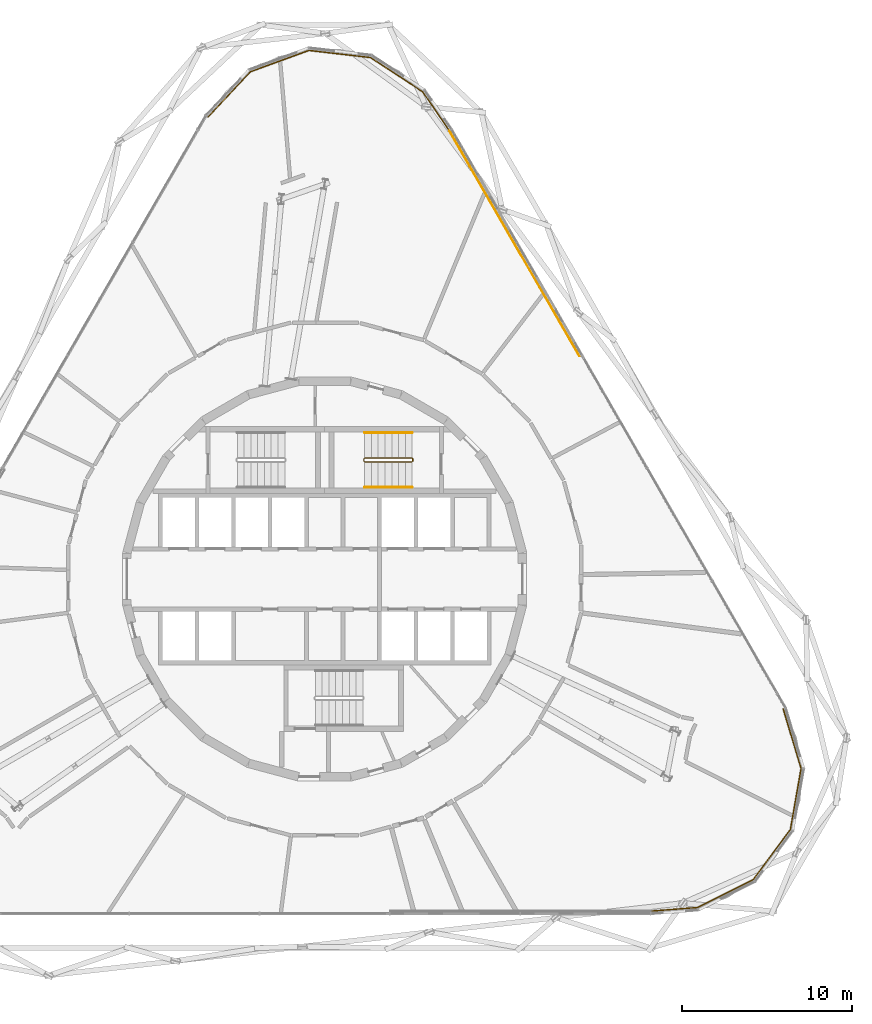
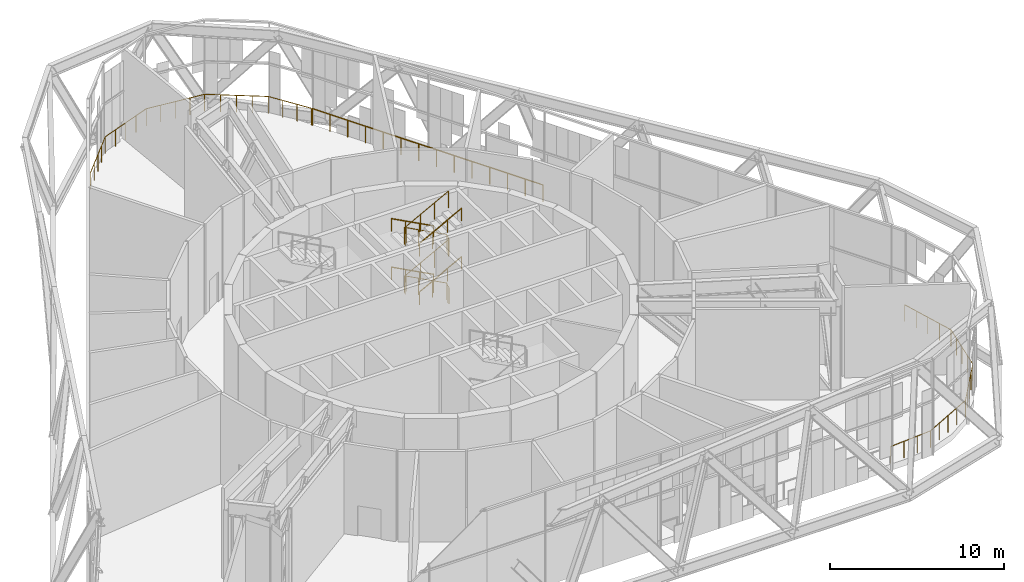
# One storey, part 29 of 29: 8 railings.
"""IFC4 building model written with IfcOpenShell, lengths in metres."""

from ifc_helpers import new_model, si_unit, direction, frame, origin, origin_2d, place, context, subcontext, project, spatial, circle, extrude, material, type_object, element, save


model = new_model("IFC4")

# Units and contexts
model_context = context("Model", 3, precision=1e-05, world=origin(), true_north=direction((0.0, 1.0)))
body_context = subcontext(model_context, "Body", "Model", "MODEL_VIEW")
ifc_project = project(units=[si_unit("LENGTHUNIT", "METRE"), si_unit("AREAUNIT", "SQUARE_METRE"), si_unit("VOLUMEUNIT", "CUBIC_METRE"), si_unit("PLANEANGLEUNIT", "RADIAN"), si_unit("MASSUNIT", "GRAM", prefix="KILO")], contexts=[model_context])

# Site, building, storey
site_placement = place(None, origin())
site = spatial("IfcSite", under=ifc_project, at=site_placement, CompositionType="ELEMENT")
building_placement = place(site_placement, origin())
building = spatial("IfcBuilding", under=site, at=building_placement, Name="Spindle Arch Residences", CompositionType="ELEMENT")
storey_placement = place(building_placement, frame((0.0, 0.0, 69.89990234375)))
storey = spatial("IfcBuildingStorey", under=building, at=storey_placement, Name="L16", CompositionType="ELEMENT", Elevation=69.89990234375)

# Railings
ifc_material_1 = material(Name="Bronze anodised aluminium guard with glass infill", Category="aluminium")
railing_type_1 = type_object("IfcRailingType", Name="Facade guard 1200", PredefinedType="GUARDRAIL", material=ifc_material_1)
railing_1_placement = place(storey_placement, frame((19.218505859375, -19.55810546875, 0.0)))
element("IfcRailing", 1, at=railing_1_placement, inside=storey, type_object=railing_type_1, Name="Facade guard L16 1", PredefinedType="GUARDRAIL", context=body_context, shape_type="SweptSolid", body=[
    extrude(circle(Radius=0.02392578125, at=origin_2d()), frame((0.0, 0.0, 1.17578125), z_axis=(0.997003710875, 0.077353736189, 0.0), x_axis=(-0.077353736189, 0.997003710875, 0.0)), (0.0, 0.0, 1.0), 2.75537109375),
    extrude(circle(Radius=0.02392578125, at=origin_2d()), frame((2.7470703125, 0.213134765625, 1.17578125), z_axis=(0.893640339838, 0.448783848878, 0.0), x_axis=(-0.448783848878, 0.893640339838, 0.0)), (0.0, 0.0, 1.0), 3.667724609375),
    extrude(circle(Radius=0.02392578125, at=origin_2d()), frame((6.024658203125, 1.859130859375, 1.17578125), z_axis=(0.59660794705, 0.802532838902, 0.0), x_axis=(-0.802532838902, 0.59660794705, 0.0)), (0.0, 0.0, 1.0), 3.65625),
    extrude(circle(Radius=0.02392578125, at=origin_2d()), frame((8.2060546875, 4.79345703125, 1.17578125), z_axis=(0.172947222457, 0.984931093145, 0.0), x_axis=(-0.984931093145, 0.172947222457, 0.0)), (0.0, 0.0, 1.0), 3.65625),
    extrude(circle(Radius=0.02392578125, at=origin_2d()), frame((8.83837890625, 8.39453125, 1.17578125), z_axis=(-0.287396893903, 0.957811581353, 0.0), x_axis=(-0.957811581353, -0.287396893903, 0.0)), (0.0, 0.0, 1.0), 3.65625),
    extrude(circle(Radius=0.02099609375, at=origin_2d()), origin(), (0.0, 0.0, 1.0), 1.15185546875),
    extrude(circle(Radius=0.02099609375, at=origin_2d()), frame((0.915771484375, 0.071044921875, 0.0)), (0.0, 0.0, 1.0), 1.15185546875),
    extrude(circle(Radius=0.02099609375, at=origin_2d()), frame((1.831298828125, 0.14208984375, 0.0)), (0.0, 0.0, 1.0), 1.15185546875),
    extrude(circle(Radius=0.02099609375, at=origin_2d()), frame((2.7470703125, 0.213134765625, 0.0)), (0.0, 0.0, 1.0), 1.15185546875),
    extrude(circle(Radius=0.02099609375, at=origin_2d()), frame((3.56640625, 0.62451171875, 0.0)), (0.0, 0.0, 1.0), 1.15185546875),
    extrude(circle(Radius=0.02099609375, at=origin_2d()), frame((4.3857421875, 1.0361328125, 0.0)), (0.0, 0.0, 1.0), 1.15185546875),
    extrude(circle(Radius=0.02099609375, at=origin_2d()), frame((5.205322265625, 1.44775390625, 0.0)), (0.0, 0.0, 1.0), 1.15185546875),
    extrude(circle(Radius=0.02099609375, at=origin_2d()), frame((6.024658203125, 1.859130859375, 0.0)), (0.0, 0.0, 1.0), 1.15185546875),
    extrude(circle(Radius=0.02099609375, at=origin_2d()), frame((6.570068359375, 2.5927734375, 0.0)), (0.0, 0.0, 1.0), 1.15185546875),
    extrude(circle(Radius=0.02099609375, at=origin_2d()), frame((7.115234375, 3.326171875, 0.0)), (0.0, 0.0, 1.0), 1.15185546875),
    extrude(circle(Radius=0.02099609375, at=origin_2d()), frame((7.66064453125, 4.059814453125, 0.0)), (0.0, 0.0, 1.0), 1.15185546875),
    extrude(circle(Radius=0.02099609375, at=origin_2d()), frame((8.2060546875, 4.79345703125, 0.0)), (0.0, 0.0, 1.0), 1.15185546875),
    extrude(circle(Radius=0.02099609375, at=origin_2d()), frame((8.3642578125, 5.69384765625, 0.0)), (0.0, 0.0, 1.0), 1.15185546875),
    extrude(circle(Radius=0.02099609375, at=origin_2d()), frame((8.522216796875, 6.593994140625, 0.0)), (0.0, 0.0, 1.0), 1.15185546875),
    extrude(circle(Radius=0.02099609375, at=origin_2d()), frame((8.68017578125, 7.494140625, 0.0)), (0.0, 0.0, 1.0), 1.15185546875),
    extrude(circle(Radius=0.02099609375, at=origin_2d()), frame((8.83837890625, 8.39453125, 0.0)), (0.0, 0.0, 1.0), 1.15185546875),
    extrude(circle(Radius=0.02099609375, at=origin_2d()), frame((8.57568359375, 9.27001953125, 0.0)), (0.0, 0.0, 1.0), 1.15185546875),
    extrude(circle(Radius=0.02099609375, at=origin_2d()), frame((8.31298828125, 10.1455078125, 0.0)), (0.0, 0.0, 1.0), 1.15185546875),
    extrude(circle(Radius=0.02099609375, at=origin_2d()), frame((8.05029296875, 11.02099609375, 0.0)), (0.0, 0.0, 1.0), 1.15185546875),
    extrude(circle(Radius=0.02099609375, at=origin_2d()), frame((7.78759765625, 11.896484375, 0.0)), (0.0, 0.0, 1.0), 1.15185546875),
])
railing_2_placement = place(storey_placement, frame((15.00439453125, 13.131591796875, 0.0)))
element("IfcRailing", 2, at=railing_2_placement, inside=storey, type_object=railing_type_1, Name="Facade guard L16 2", PredefinedType="GUARDRAIL", context=body_context, shape_type="SweptSolid", body=[
    extrude(circle(Radius=0.02392578125, at=origin_2d()), frame((0.0, 0.0, 1.17578125), z_axis=(-0.500005610874, 0.86602216432, 0.0), x_axis=(-0.86602216432, -0.500005610874, 0.0)), (0.0, 0.0, 1.0), 15.300048828125),
    extrude(circle(Radius=0.02099609375, at=origin_2d()), origin(), (0.0, 0.0, 1.0), 1.15185546875),
    extrude(circle(Radius=0.02099609375, at=origin_2d()), frame((-0.58837890625, 1.019287109375, 0.0)), (0.0, 0.0, 1.0), 1.15185546875),
    extrude(circle(Radius=0.02099609375, at=origin_2d()), frame((-1.177001953125, 2.03857421875, 0.0)), (0.0, 0.0, 1.0), 1.15185546875),
    extrude(circle(Radius=0.02099609375, at=origin_2d()), frame((-1.765380859375, 3.057861328125, 0.0)), (0.0, 0.0, 1.0), 1.15185546875),
    extrude(circle(Radius=0.02099609375, at=origin_2d()), frame((-2.35400390625, 4.076904296875, 0.0)), (0.0, 0.0, 1.0), 1.15185546875),
    extrude(circle(Radius=0.02099609375, at=origin_2d()), frame((-2.9423828125, 5.09619140625, 0.0)), (0.0, 0.0, 1.0), 1.15185546875),
    extrude(circle(Radius=0.02099609375, at=origin_2d()), frame((-3.53076171875, 6.115478515625, 0.0)), (0.0, 0.0, 1.0), 1.15185546875),
    extrude(circle(Radius=0.02099609375, at=origin_2d()), frame((-4.119384765625, 7.134765625, 0.0)), (0.0, 0.0, 1.0), 1.15185546875),
    extrude(circle(Radius=0.02099609375, at=origin_2d()), frame((-4.707763671875, 8.154052734375, 0.0)), (0.0, 0.0, 1.0), 1.15185546875),
    extrude(circle(Radius=0.02099609375, at=origin_2d()), frame((-5.296142578125, 9.17333984375, 0.0)), (0.0, 0.0, 1.0), 1.15185546875),
    extrude(circle(Radius=0.02099609375, at=origin_2d()), frame((-5.884765625, 10.1923828125, 0.0)), (0.0, 0.0, 1.0), 1.15185546875),
    extrude(circle(Radius=0.02099609375, at=origin_2d()), frame((-6.47314453125, 11.211669921875, 0.0)), (0.0, 0.0, 1.0), 1.15185546875),
    extrude(circle(Radius=0.02099609375, at=origin_2d()), frame((-7.061767578125, 12.23095703125, 0.0)), (0.0, 0.0, 1.0), 1.15185546875),
    extrude(circle(Radius=0.02099609375, at=origin_2d()), frame((-7.650146484375, 13.250244140625, 0.0)), (0.0, 0.0, 1.0), 1.15185546875),
])
railing_3_placement = place(storey_placement, frame((7.32861328125, 26.422607421875, 0.0)))
element("IfcRailing", 3, at=railing_3_placement, inside=storey, type_object=railing_type_1, Name="Facade guard L16 3", PredefinedType="GUARDRAIL", context=body_context, shape_type="SweptSolid", body=[
    extrude(circle(Radius=0.02392578125, at=origin_2d()), frame((0.0, 0.0, 1.17578125), z_axis=(-0.565490471855, 0.824754827958, 0.0), x_axis=(-0.824754827958, -0.565490471855, 0.0)), (0.0, 0.0, 1.0), 2.75537109375),
    extrude(circle(Radius=0.02392578125, at=origin_2d()), frame((-1.55810546875, 2.2724609375, 1.17578125), z_axis=(-0.835474984803, 0.549528479488, 0.0), x_axis=(-0.549528479488, -0.835474984803, 0.0)), (0.0, 0.0, 1.0), 3.66796875),
    extrude(circle(Radius=0.02392578125, at=origin_2d()), frame((-4.62255859375, 4.2880859375, 1.17578125), z_axis=(-0.993312368074, 0.115457955254, 0.0), x_axis=(-0.115457955254, -0.993312368074, 0.0)), (0.0, 0.0, 1.0), 3.656005859375),
    extrude(circle(Radius=0.02392578125, at=origin_2d()), frame((-8.254150390625, 4.710205078125, 1.17578125), z_axis=(-0.939457657649, -0.342665010594, 0.0), x_axis=(0.342665010594, -0.939457657649, 0.0)), (0.0, 0.0, 1.0), 3.656494140625),
    extrude(circle(Radius=0.02392578125, at=origin_2d()), frame((-11.689208984375, 3.457275390625, 1.17578125), z_axis=(-0.685724961607, -0.727860753873, 0.0), x_axis=(0.727860753873, -0.685724961607, 0.0)), (0.0, 0.0, 1.0), 3.656005859375),
    extrude(circle(Radius=0.02099609375, at=origin_2d()), origin(), (0.0, 0.0, 1.0), 1.15185546875),
    extrude(circle(Radius=0.02099609375, at=origin_2d()), frame((-0.519287109375, 0.757568359375, 0.0)), (0.0, 0.0, 1.0), 1.15185546875),
    extrude(circle(Radius=0.02099609375, at=origin_2d()), frame((-1.038818359375, 1.514892578125, 0.0)), (0.0, 0.0, 1.0), 1.15185546875),
    extrude(circle(Radius=0.02099609375, at=origin_2d()), frame((-1.55810546875, 2.2724609375, 0.0)), (0.0, 0.0, 1.0), 1.15185546875),
    extrude(circle(Radius=0.02099609375, at=origin_2d()), frame((-2.32421875, 2.7763671875, 0.0)), (0.0, 0.0, 1.0), 1.15185546875),
    extrude(circle(Radius=0.02099609375, at=origin_2d()), frame((-3.09033203125, 3.2802734375, 0.0)), (0.0, 0.0, 1.0), 1.15185546875),
    extrude(circle(Radius=0.02099609375, at=origin_2d()), frame((-3.8564453125, 3.7841796875, 0.0)), (0.0, 0.0, 1.0), 1.15185546875),
    extrude(circle(Radius=0.02099609375, at=origin_2d()), frame((-4.62255859375, 4.2880859375, 0.0)), (0.0, 0.0, 1.0), 1.15185546875),
    extrude(circle(Radius=0.02099609375, at=origin_2d()), frame((-5.530517578125, 4.3935546875, 0.0)), (0.0, 0.0, 1.0), 1.15185546875),
    extrude(circle(Radius=0.02099609375, at=origin_2d()), frame((-6.4384765625, 4.4990234375, 0.0)), (0.0, 0.0, 1.0), 1.15185546875),
    extrude(circle(Radius=0.02099609375, at=origin_2d()), frame((-7.34619140625, 4.604736328125, 0.0)), (0.0, 0.0, 1.0), 1.15185546875),
    extrude(circle(Radius=0.02099609375, at=origin_2d()), frame((-8.254150390625, 4.710205078125, 0.0)), (0.0, 0.0, 1.0), 1.15185546875),
    extrude(circle(Radius=0.02099609375, at=origin_2d()), frame((-9.11279296875, 4.39697265625, 0.0)), (0.0, 0.0, 1.0), 1.15185546875),
    extrude(circle(Radius=0.02099609375, at=origin_2d()), frame((-9.9716796875, 4.083740234375, 0.0)), (0.0, 0.0, 1.0), 1.15185546875),
    extrude(circle(Radius=0.02099609375, at=origin_2d()), frame((-10.83056640625, 3.7705078125, 0.0)), (0.0, 0.0, 1.0), 1.15185546875),
    extrude(circle(Radius=0.02099609375, at=origin_2d()), frame((-11.689208984375, 3.457275390625, 0.0)), (0.0, 0.0, 1.0), 1.15185546875),
    extrude(circle(Radius=0.02099609375, at=origin_2d()), frame((-12.31591796875, 2.7919921875, 0.0)), (0.0, 0.0, 1.0), 1.15185546875),
    extrude(circle(Radius=0.02099609375, at=origin_2d()), frame((-12.94287109375, 2.126708984375, 0.0)), (0.0, 0.0, 1.0), 1.15185546875),
    extrude(circle(Radius=0.02099609375, at=origin_2d()), frame((-13.569580078125, 1.46142578125, 0.0)), (0.0, 0.0, 1.0), 1.15185546875),
    extrude(circle(Radius=0.02099609375, at=origin_2d()), frame((-14.1962890625, 0.796142578125, 0.0)), (0.0, 0.0, 1.0), 1.15185546875),
])
ifc_material_2 = material(Name="Steel, painted", Category="steel")
railing_type_2 = type_object("IfcRailingType", Name="Stair guard 1100", PredefinedType="GUARDRAIL", material=ifc_material_2)
railing_4_placement = place(storey_placement, frame((5.14990234375, 6.89990234375, 6.800048828125)))
element("IfcRailing", 4, at=railing_4_placement, inside=storey, type_object=railing_type_2, Name="L16 ST1 stair guard 1", PredefinedType="GUARDRAIL", context=body_context, shape_type="SweptSolid", body=[
    extrude(circle(Radius=0.02392578125, at=origin_2d()), frame((0.0, 0.0, 1.17578125), z_axis=(-0.883095778239, 0.0, -0.469192760447), x_axis=(0.0, -1.0, 0.0)), (0.0, 0.0, 1.0), 3.17041015625),
    extrude(circle(Radius=0.02392578125, at=origin_2d()), frame((-2.7998046875, 0.0, -0.3115234375), z_axis=(-0.223546962728, 0.223546962728, -0.948711500357), x_axis=(-0.707106781187, -0.707106781187, 0.0)), (0.0, 0.0, 1.0), 0.223876953125),
    extrude(circle(Radius=0.02392578125, at=origin_2d()), frame((-2.849853515625, 0.050048828125, -0.52392578125), z_axis=(0.0, 1.0, 0.0), x_axis=(-1.0, 0.0, 0.0)), (0.0, 0.0, 1.0), 0.1201171875),
    extrude(circle(Radius=0.02392578125, at=origin_2d()), frame((-2.849853515625, 0.170166015625, -0.52392578125), z_axis=(0.707106781187, 0.707106781187, 0.0), x_axis=(-0.707106781187, 0.707106781187, 0.0)), (0.0, 0.0, 1.0), 0.07080078125),
    extrude(circle(Radius=0.02392578125, at=origin_2d()), frame((-2.7998046875, 0.22021484375, -0.52392578125), z_axis=(0.883095778239, 0.0, -0.469192760447), x_axis=(0.0, 1.0, 0.0)), (0.0, 0.0, 1.0), 3.17041015625),
    extrude(circle(Radius=0.02392578125, at=origin_2d()), frame((0.0, 0.22021484375, -2.01171875), z_axis=(0.180861968005, -0.614930691216, -0.767560547142), x_axis=(0.959365501571, 0.282166323992, 0.0)), (0.0, 0.0, 1.0), 0.276611328125),
    extrude(circle(Radius=0.02392578125, at=origin_2d()), frame((0.050048828125, 0.050048828125, -2.22412109375), z_axis=(0.0, 1.0, 0.0), x_axis=(-1.0, 0.0, 0.0)), (0.0, 0.0, 1.0), 0.1201171875),
    extrude(circle(Radius=0.02392578125, at=origin_2d()), frame((0.050048828125, 0.170166015625, -2.22412109375), z_axis=(-0.282166323992, -0.959365501571, 0.0), x_axis=(0.959365501571, -0.282166323992, 0.0)), (0.0, 0.0, 1.0), 0.177490234375),
    extrude(circle(Radius=0.02392578125, at=origin_2d()), frame((0.0, 0.0, -2.22412109375), z_axis=(-0.883095778239, 0.0, -0.469192760447), x_axis=(0.0, -1.0, 0.0)), (0.0, 0.0, 1.0), 3.17041015625),
    extrude(circle(Radius=0.02392578125, at=origin_2d()), frame((-2.7998046875, 0.0, -3.71142578125), z_axis=(-0.223546962728, 0.223546962728, -0.948711500357), x_axis=(-0.707106781187, -0.707106781187, 0.0)), (0.0, 0.0, 1.0), 0.223876953125),
    extrude(circle(Radius=0.02392578125, at=origin_2d()), frame((-2.849853515625, 0.050048828125, -3.923828125), z_axis=(0.0, 1.0, 0.0), x_axis=(-1.0, 0.0, 0.0)), (0.0, 0.0, 1.0), 0.1201171875),
    extrude(circle(Radius=0.02392578125, at=origin_2d()), frame((-2.849853515625, 0.170166015625, -3.923828125), z_axis=(0.707106781187, 0.707106781187, 0.0), x_axis=(-0.707106781187, 0.707106781187, 0.0)), (0.0, 0.0, 1.0), 0.07080078125),
    extrude(circle(Radius=0.02392578125, at=origin_2d()), frame((-2.7998046875, 0.22021484375, -3.923828125), z_axis=(0.883095778239, 0.0, -0.469192760447), x_axis=(0.0, 1.0, 0.0)), (0.0, 0.0, 1.0), 3.17041015625),
    extrude(circle(Radius=0.02392578125, at=origin_2d()), frame((0.0, 0.22021484375, -5.41162109375), z_axis=(0.223315919267, -0.223315919267, -0.9488203204), x_axis=(0.707106781187, 0.707106781187, 0.0)), (0.0, 0.0, 1.0), 0.22412109375),
    extrude(circle(Radius=0.02392578125, at=origin_2d()), frame((0.050048828125, 0.170166015625, -5.6240234375), z_axis=(0.0, -1.0, 0.0), x_axis=(1.0, 0.0, 0.0)), (0.0, 0.0, 1.0), 0.1201171875),
    extrude(circle(Radius=0.02099609375, at=origin_2d()), origin(), (0.0, 0.0, 1.0), 1.15185546875),
    extrude(circle(Radius=0.02099609375, at=origin_2d()), frame((-0.933349609375, 0.0, -0.495849609375)), (0.0, 0.0, 1.0), 1.15185546875),
    extrude(circle(Radius=0.02099609375, at=origin_2d()), frame((-1.866455078125, 0.0, -0.99169921875)), (0.0, 0.0, 1.0), 1.15185546875),
    extrude(circle(Radius=0.02099609375, at=origin_2d()), frame((-2.7998046875, 0.0, -1.487548828125)), (0.0, 0.0, 1.0), 1.15185546875),
    extrude(circle(Radius=0.02099609375, at=origin_2d()), frame((-2.849853515625, 0.050048828125, -1.699951171875)), (0.0, 0.0, 1.0), 1.15185546875),
    extrude(circle(Radius=0.02099609375, at=origin_2d()), frame((-2.849853515625, 0.170166015625, -1.699951171875)), (0.0, 0.0, 1.0), 1.15185546875),
    extrude(circle(Radius=0.02099609375, at=origin_2d()), frame((-2.7998046875, 0.22021484375, -1.699951171875)), (0.0, 0.0, 1.0), 1.15185546875),
    extrude(circle(Radius=0.02099609375, at=origin_2d()), frame((-1.866455078125, 0.22021484375, -2.19580078125)), (0.0, 0.0, 1.0), 1.15185546875),
    extrude(circle(Radius=0.02099609375, at=origin_2d()), frame((-0.933349609375, 0.22021484375, -2.691650390625)), (0.0, 0.0, 1.0), 1.15185546875),
    extrude(circle(Radius=0.02099609375, at=origin_2d()), frame((0.0, 0.22021484375, -3.1875)), (0.0, 0.0, 1.0), 1.15185546875),
    extrude(circle(Radius=0.02099609375, at=origin_2d()), frame((0.050048828125, 0.050048828125, -3.39990234375)), (0.0, 0.0, 1.0), 1.15185546875),
    extrude(circle(Radius=0.02099609375, at=origin_2d()), frame((0.050048828125, 0.170166015625, -3.39990234375)), (0.0, 0.0, 1.0), 1.15185546875),
    extrude(circle(Radius=0.02099609375, at=origin_2d()), frame((0.0, 0.0, -3.39990234375)), (0.0, 0.0, 1.0), 1.15185546875),
    extrude(circle(Radius=0.02099609375, at=origin_2d()), frame((-0.933349609375, 0.0, -3.895751953125)), (0.0, 0.0, 1.0), 1.15185546875),
    extrude(circle(Radius=0.02099609375, at=origin_2d()), frame((-1.866455078125, 0.0, -4.3916015625)), (0.0, 0.0, 1.0), 1.15185546875),
    extrude(circle(Radius=0.02099609375, at=origin_2d()), frame((-2.7998046875, 0.0, -4.887451171875)), (0.0, 0.0, 1.0), 1.15185546875),
    extrude(circle(Radius=0.02099609375, at=origin_2d()), frame((-2.849853515625, 0.050048828125, -5.099853515625)), (0.0, 0.0, 1.0), 1.15185546875),
    extrude(circle(Radius=0.02099609375, at=origin_2d()), frame((-2.849853515625, 0.170166015625, -5.099853515625)), (0.0, 0.0, 1.0), 1.15185546875),
    extrude(circle(Radius=0.02099609375, at=origin_2d()), frame((-2.7998046875, 0.22021484375, -5.099853515625)), (0.0, 0.0, 1.0), 1.15185546875),
    extrude(circle(Radius=0.02099609375, at=origin_2d()), frame((-1.866455078125, 0.22021484375, -5.595703125)), (0.0, 0.0, 1.0), 1.15185546875),
    extrude(circle(Radius=0.02099609375, at=origin_2d()), frame((-0.933349609375, 0.22021484375, -6.091552734375)), (0.0, 0.0, 1.0), 1.15185546875),
    extrude(circle(Radius=0.02099609375, at=origin_2d()), frame((0.0, 0.22021484375, -6.58740234375)), (0.0, 0.0, 1.0), 1.15185546875),
    extrude(circle(Radius=0.02099609375, at=origin_2d()), frame((0.050048828125, 0.170166015625, -6.800048828125)), (0.0, 0.0, 1.0), 1.15185546875),
    extrude(circle(Radius=0.02099609375, at=origin_2d()), frame((0.050048828125, 0.050048828125, -6.800048828125)), (0.0, 0.0, 1.0), 1.15185546875),
])
ifc_material_3 = material(Name="Steel, painted", Category="steel")
railing_type_3 = type_object("IfcRailingType", Name="Stair handrail 900", PredefinedType="HANDRAIL", material=ifc_material_3)
railing_5_placement = place(storey_placement, frame((5.14990234375, 8.6201171875, 0.212646484375)))
element("IfcRailing", 5, at=railing_5_placement, inside=storey, type_object=railing_type_3, Name="L16 ST1 stair handrail 1", PredefinedType="HANDRAIL", context=body_context, shape_type="SweptSolid", body=[
    extrude(circle(Radius=0.02392578125, at=origin_2d()), frame((0.0, 0.0, 0.8759765625), z_axis=(-0.883095778239, 0.0, 0.469192760447), x_axis=(0.0, -1.0, 0.0)), (0.0, 0.0, 1.0), 3.17041015625),
    extrude(circle(Radius=0.02099609375, at=origin_2d()), origin(), (0.0, 0.0, 1.0), 0.851806640625),
    extrude(circle(Radius=0.02099609375, at=origin_2d()), frame((-0.933349609375, 0.0, 0.495849609375)), (0.0, 0.0, 1.0), 0.851806640625),
    extrude(circle(Radius=0.02099609375, at=origin_2d()), frame((-1.866455078125, 0.0, 0.99169921875)), (0.0, 0.0, 1.0), 0.851806640625),
    extrude(circle(Radius=0.02099609375, at=origin_2d()), frame((-2.7998046875, 0.0, 1.487548828125)), (0.0, 0.0, 1.0), 0.851806640625),
])
railing_6_placement = place(storey_placement, frame((2.35009765625, 5.39990234375, 1.91259765625)))
element("IfcRailing", 6, at=railing_6_placement, inside=storey, type_object=railing_type_3, Name="L16 ST1 stair handrail 2", PredefinedType="HANDRAIL", context=body_context, shape_type="SweptSolid", body=[
    extrude(circle(Radius=0.02392578125, at=origin_2d()), frame((0.0, 0.0, 0.8759765625), z_axis=(0.883095778239, 0.0, 0.469192760447), x_axis=(0.0, 1.0, 0.0)), (0.0, 0.0, 1.0), 3.17041015625),
    extrude(circle(Radius=0.02099609375, at=origin_2d()), origin(), (0.0, 0.0, 1.0), 0.851806640625),
    extrude(circle(Radius=0.02099609375, at=origin_2d()), frame((0.933349609375, 0.0, 0.495849609375)), (0.0, 0.0, 1.0), 0.851806640625),
    extrude(circle(Radius=0.02099609375, at=origin_2d()), frame((1.866455078125, 0.0, 0.99169921875)), (0.0, 0.0, 1.0), 0.851806640625),
    extrude(circle(Radius=0.02099609375, at=origin_2d()), frame((2.7998046875, 0.0, 1.487548828125)), (0.0, 0.0, 1.0), 0.851806640625),
])
railing_7_placement = place(storey_placement, frame((5.14990234375, 8.6201171875, 3.612548828125)))
element("IfcRailing", 7, at=railing_7_placement, inside=storey, type_object=railing_type_3, Name="L16 ST1 stair handrail 3", PredefinedType="HANDRAIL", context=body_context, shape_type="SweptSolid", body=[
    extrude(circle(Radius=0.02392578125, at=origin_2d()), frame((0.0, 0.0, 0.8759765625), z_axis=(-0.883095778239, 0.0, 0.469192760447), x_axis=(0.0, -1.0, 0.0)), (0.0, 0.0, 1.0), 3.17041015625),
    extrude(circle(Radius=0.02099609375, at=origin_2d()), origin(), (0.0, 0.0, 1.0), 0.851806640625),
    extrude(circle(Radius=0.02099609375, at=origin_2d()), frame((-0.933349609375, 0.0, 0.495849609375)), (0.0, 0.0, 1.0), 0.851806640625),
    extrude(circle(Radius=0.02099609375, at=origin_2d()), frame((-1.866455078125, 0.0, 0.99169921875)), (0.0, 0.0, 1.0), 0.851806640625),
    extrude(circle(Radius=0.02099609375, at=origin_2d()), frame((-2.7998046875, 0.0, 1.487548828125)), (0.0, 0.0, 1.0), 0.851806640625),
])
railing_8_placement = place(storey_placement, frame((2.35009765625, 5.39990234375, 5.3125)))
element("IfcRailing", 8, at=railing_8_placement, inside=storey, type_object=railing_type_3, Name="L16 ST1 stair handrail 4", PredefinedType="HANDRAIL", context=body_context, shape_type="SweptSolid", body=[
    extrude(circle(Radius=0.02392578125, at=origin_2d()), frame((0.0, 0.0, 0.8759765625), z_axis=(0.883095778239, 0.0, 0.469192760447), x_axis=(0.0, 1.0, 0.0)), (0.0, 0.0, 1.0), 3.17041015625),
    extrude(circle(Radius=0.02099609375, at=origin_2d()), origin(), (0.0, 0.0, 1.0), 0.851806640625),
    extrude(circle(Radius=0.02099609375, at=origin_2d()), frame((0.933349609375, 0.0, 0.495849609375)), (0.0, 0.0, 1.0), 0.851806640625),
    extrude(circle(Radius=0.02099609375, at=origin_2d()), frame((1.866455078125, 0.0, 0.99169921875)), (0.0, 0.0, 1.0), 0.851806640625),
    extrude(circle(Radius=0.02099609375, at=origin_2d()), frame((2.7998046875, 0.0, 1.487548828125)), (0.0, 0.0, 1.0), 0.851806640625),
])

save(model, "model.ifc")
